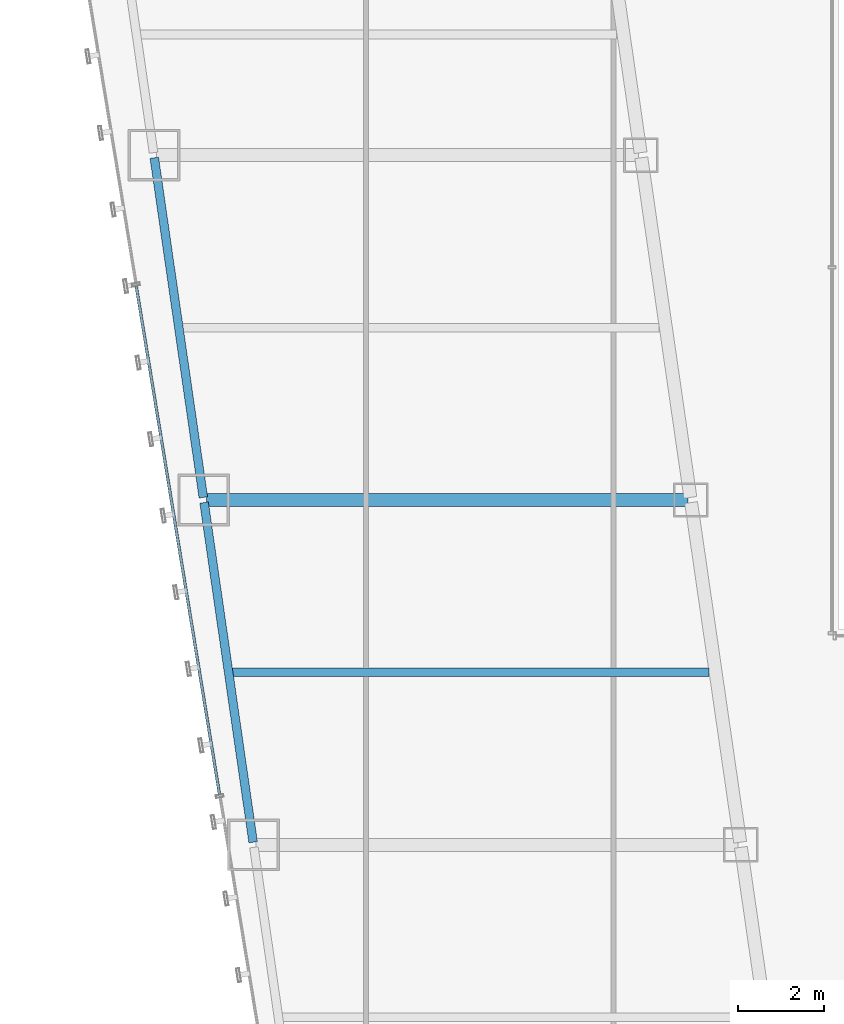
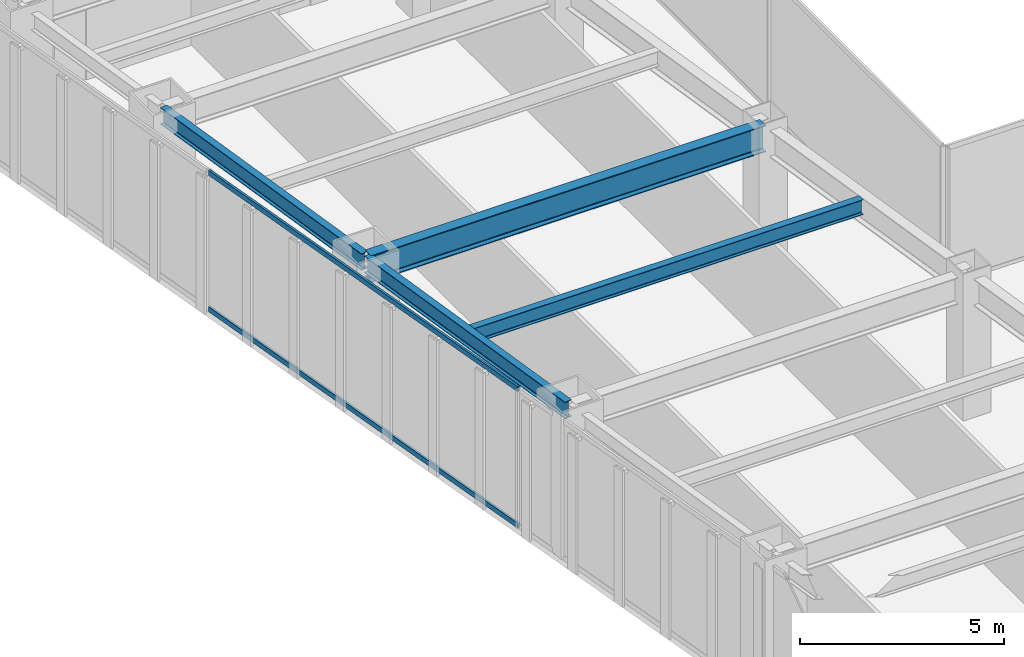
# One storey, part 10 of 49: 4 beams, 2 members, 1 element without a shape of its own.
"""IFC4 building model written with IfcOpenShell, lengths in metres."""

from ifc_helpers import new_model, si_unit, direction, frame, origin, origin_2d, place, context, subcontext, project, spatial, hollow_rectangle, i_section, extrude, material, material_profile, profile_set, type_object, element, aggregate, save


model = new_model("IFC4")

# Units and contexts
model_context = context("Model", 3, precision=1e-05, world=origin(), true_north=direction((0.0, 1.0)))
body_context = subcontext(model_context, "Body", "Model", "MODEL_VIEW")
ifc_project = project(units=[si_unit("LENGTHUNIT", "METRE"), si_unit("AREAUNIT", "SQUARE_METRE"), si_unit("VOLUMEUNIT", "CUBIC_METRE"), si_unit("PLANEANGLEUNIT", "RADIAN"), si_unit("MASSUNIT", "GRAM", prefix="KILO")], contexts=[model_context])

# Site, building, storey
site_placement = place(None, origin())
site = spatial("IfcSite", under=ifc_project, at=site_placement, CompositionType="ELEMENT")
building_placement = place(site_placement, origin())
building = spatial("IfcBuilding", under=site, at=building_placement, Name="Saevonmaru Cultural Tower", CompositionType="ELEMENT")
storey_placement = place(building_placement, frame((0.0, 0.0, 73.60009765625)))
storey = spatial("IfcBuildingStorey", under=building, at=storey_placement, Name="L15", CompositionType="ELEMENT", Elevation=73.60009765625)

# Beams
ifc_material_1 = material(Name="Steel SM420", Category="steel")
ifc_material_profile_1 = material_profile(ifc_material_1, i_section(OverallWidth=0.300048828125, OverallDepth=0.800048828125, WebThickness=0.013916015625, FlangeThickness=0.02587890625, FilletRadius=0.028076171875, at=origin_2d()), Name="H-800x300x14x26")
ifc_profile_set_1 = profile_set([ifc_material_profile_1], Name="Steel SM420")
beam_type_1 = type_object("IfcBeamType", Name="BM-G-H800", PredefinedType="BEAM", material=ifc_profile_set_1)
beam_1_placement = place(storey_placement, frame((9.531982421875, 24.0, 3.75), z_axis=(1.0, 0.0, 0.0), x_axis=(0.0, 1.0, 0.0)))
element("IfcBeam", 1, at=beam_1_placement, inside=storey, type_object=beam_type_1, Name="L15 West Wing Transverse Girder 4", PredefinedType="BEAM", context=body_context, shape_type="SweptSolid", body=[
    extrude(i_section(OverallWidth=0.300048828125, OverallDepth=0.800048828125, WebThickness=0.013916015625, FlangeThickness=0.02587890625, FilletRadius=0.028076171875, at=origin_2d()), origin(), (0.0, 0.0, 1.0), 11.179931640625),
])
ifc_material_2 = material(Name="Steel SM355", Category="steel")
ifc_material_profile_2 = material_profile(ifc_material_2, i_section(OverallWidth=0.199951171875, OverallDepth=0.449951171875, WebThickness=0.009033203125, FlangeThickness=0.013916015625, FilletRadius=0.01806640625, at=origin_2d()), Name="H-450x200x9x14")
ifc_profile_set_2 = profile_set([ifc_material_profile_2], Name="Steel SM355")
beam_type_2 = type_object("IfcBeamType", Name="BM-J-H450", PredefinedType="JOIST", material=ifc_profile_set_2)
beam_2_placement = place(storey_placement, frame((10.110107421875, 20.0, 3.9248046875), z_axis=(1.0, 0.0, 0.0), x_axis=(0.0, 1.0, 0.0)))
element("IfcBeam", 2, at=beam_2_placement, inside=storey, type_object=beam_type_2, Name="L15 West Wing Floor Joist 3", PredefinedType="JOIST", context=body_context, shape_type="SweptSolid", body=[
    extrude(i_section(OverallWidth=0.199951171875, OverallDepth=0.449951171875, WebThickness=0.009033203125, FlangeThickness=0.013916015625, FilletRadius=0.01806640625, at=origin_2d()), origin(), (0.0, 0.0, 1.0), 11.081787109375),
])
ifc_material_profile_3 = material_profile(ifc_material_2, i_section(OverallWidth=0.199951171875, OverallDepth=0.5, WebThickness=0.010009765625, FlangeThickness=0.01611328125, FilletRadius=0.02001953125, at=origin_2d()), Name="H-500x200x10x16")
ifc_profile_set_3 = profile_set([ifc_material_profile_3], Name="Steel SM355")
beam_type_3 = type_object("IfcBeamType", Name="BM-SP-H500", PredefinedType="SPANDREL", material=ifc_profile_set_3)
for number, where, z_axis, x_axis, name in (
    (3, (10.619384765625, 16.059326171875, 3.89990234375), (-0.142992129437, 0.989723825579, 0.0), (-0.989723825579, -0.142992129437, 0.0), "L15 West Splayed Spandrel 3"),
    (4, (9.46337890625, 24.059326171875, 3.89990234375), (-0.142871999001, 0.989741174197, 0.0), (-0.989741174197, -0.142871999001, 0.0), "L15 West Splayed Spandrel 4"),
):
    element("IfcBeam", number, at=place(storey_placement, frame(where, z_axis=z_axis, x_axis=x_axis)), inside=storey, type_object=beam_type_3, Name=name, PredefinedType="SPANDREL", context=body_context, shape_type="SweptSolid", body=[
        extrude(i_section(OverallWidth=0.199951171875, OverallDepth=0.5, WebThickness=0.010009765625, FlangeThickness=0.01611328125, FilletRadius=0.02001953125, at=origin_2d()), origin(), (0.0, 0.0, 1.0), 7.963134765625),
    ])

# Curtain wall, members
ifc_material_3 = material(Name="Satin Bronze Anodised Aluminium", Category="aluminium")
curtain_wall_type = type_object("IfcCurtainWallType", Name="CW-TYP-A", PredefinedType="NOTDEFINED", material=ifc_material_3)
curtain_wall_placement = place(storey_placement, origin())
curtain_wall = element("IfcCurtainWall", 5, at=curtain_wall_placement, inside=storey, type_object=curtain_wall_type, Name="L15 Unitised Curtain Wall E12", PredefinedType="NOTDEFINED")
ifc_material_profile_4 = material_profile(ifc_material_3, hollow_rectangle(XDim=0.06494140625, YDim=0.14990234375, WallThickness=0.00390625, at=origin_2d()), Name="ALU-TRAN-150x65x4")
ifc_profile_set_4 = profile_set([ifc_material_profile_4], Name="Satin Bronze Anodised Aluminium")
member_type = type_object("IfcMemberType", Name="TR-CW-150x65", PredefinedType="USERDEFINED", material=ifc_profile_set_4)
member_1_placement = place(storey_placement, frame((7.9052734375, 28.968017578125, 0.032470703125), z_axis=(0.161701400727, -0.986839732177, 0.0), x_axis=(0.986839732177, 0.161701400727, 0.0)))
member_1 = element("IfcMember", 6, at=member_1_placement, type_object=member_type, Name="CW-TW-L15-E12 transom 3.1", ObjectType="TRANSOM", PredefinedType="USERDEFINED", context=body_context, shape_type="SweptSolid", body=[
    extrude(hollow_rectangle(XDim=0.06494140625, YDim=0.14990234375, WallThickness=0.00390625, at=origin_2d()), origin(), (0.0, 0.0, 1.0), 11.9638671875),
])
member_2_placement = place(storey_placement, frame((7.9052734375, 28.968017578125, 4.117431640625), z_axis=(0.161701400727, -0.986839732177, 0.0), x_axis=(0.986839732177, 0.161701400727, 0.0)))
member_2 = element("IfcMember", 7, at=member_2_placement, type_object=member_type, Name="CW-TW-L15-E12 transom 3.2", ObjectType="TRANSOM", PredefinedType="USERDEFINED", context=body_context, shape_type="SweptSolid", body=[
    extrude(hollow_rectangle(XDim=0.06494140625, YDim=0.14990234375, WallThickness=0.00390625, at=origin_2d()), origin(), (0.0, 0.0, 1.0), 11.9638671875),
])
aggregate(curtain_wall, [member_1, member_2])

save(model, "model.ifc")
